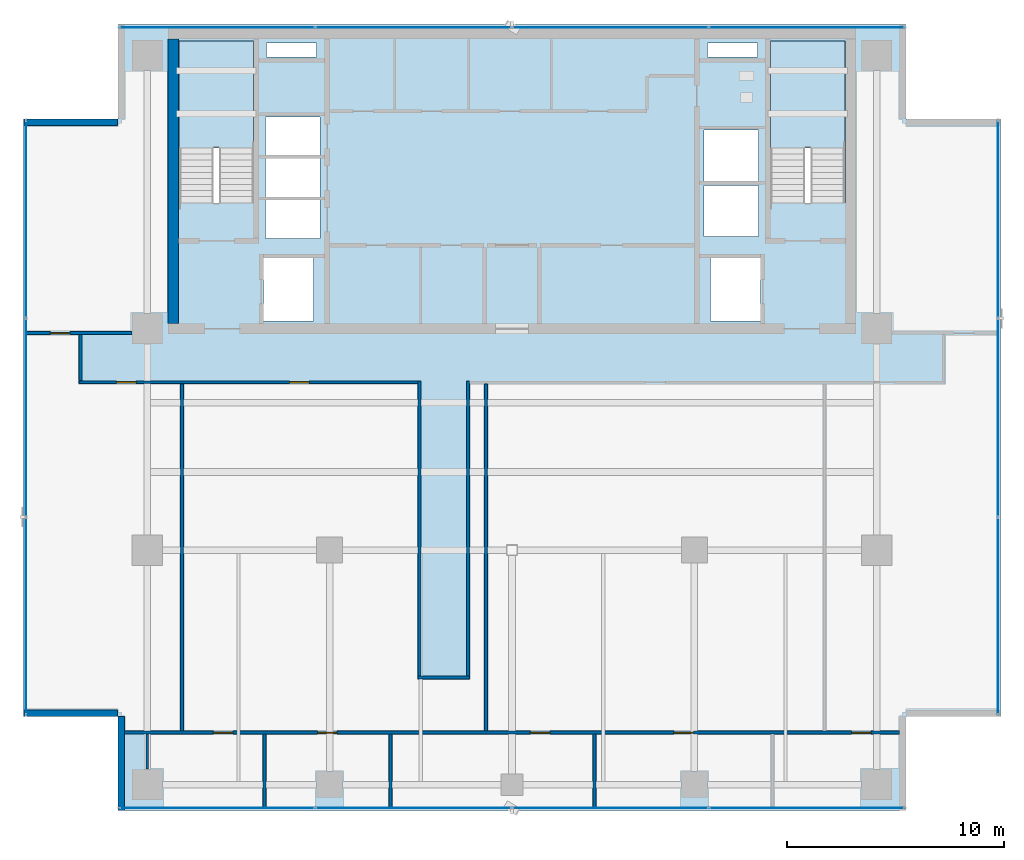
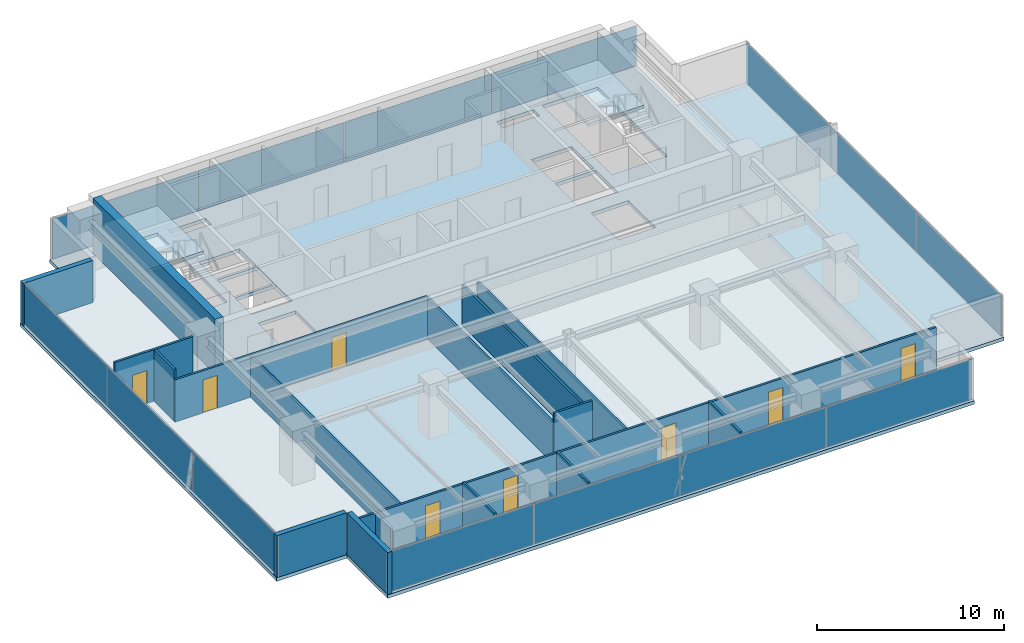
# One storey, part 19 of 25: 17 walls, 14 plates, 8 doors, 3 slabs, 8 openings, 6 elements without a shape of their own.
"""IFC4 building model written with IfcOpenShell, lengths in metres."""

from ifc_helpers import new_model, si_unit, direction, frame, frame_2d, origin, origin_2d, place, context, subcontext, project, spatial, polyline, rectangle, outline, extrude, source, transform, mapped, material, layer, layer_set, type_object, element, fill, aggregate, save


model = new_model("IFC4")

# Units and contexts
model_context = context("Model", 3, precision=1e-05, world=origin(), true_north=direction((0.0, 1.0)))
body_context = subcontext(model_context, "Body", "Model", "MODEL_VIEW")
ifc_project = project(units=[si_unit("LENGTHUNIT", "METRE"), si_unit("AREAUNIT", "SQUARE_METRE"), si_unit("VOLUMEUNIT", "CUBIC_METRE"), si_unit("PLANEANGLEUNIT", "RADIAN"), si_unit("MASSUNIT", "GRAM", prefix="KILO")], contexts=[model_context])

# Site, building, storey
site_placement = place(None, origin())
site = spatial("IfcSite", under=ifc_project, at=site_placement, CompositionType="ELEMENT")
building_placement = place(site_placement, origin())
building = spatial("IfcBuilding", under=site, at=building_placement, Name="Sumidabori Civic Tower", CompositionType="ELEMENT")
storey_placement = place(building_placement, frame((0.0, 0.0, 239.60009765625)))
storey = spatial("IfcBuildingStorey", under=building, at=storey_placement, Name="L62", CompositionType="ELEMENT", Elevation=239.60009765625)

# Stair, slab
ifc_material_1 = material(Name="Concrete C40/50", Category="concrete")
stair_type = type_object("IfcStairType", Name="ST-CORE-1600", PredefinedType="HALF_TURN_STAIR", material=ifc_material_1)
stair_1_placement = place(storey_placement, origin())
stair_1 = element("IfcStair", 1, at=stair_1_placement, inside=storey, type_object=stair_type, Name="L62 ST-1", PredefinedType="HALF_TURN_STAIR")
ifc_layer_1 = layer(ifc_material_1, 0.199951171875, Name="Concrete C40/50")
ifc_layer_set_1 = layer_set([ifc_layer_1], Name="Concrete C40/50")
slab_type_1 = type_object("IfcSlabType", Name="SL-LAND-200", PredefinedType="LANDING", material=ifc_layer_set_1)
slab_1_placement = place(storey_placement, frame((0.0, 0.0, 1.599853515625)))
slab_1 = element("IfcSlab", 2, at=slab_1_placement, type_object=slab_type_1, Name="ST-1 landing 1", PredefinedType="LANDING", context=body_context, shape_type="SweptSolid", body=[
    extrude(outline(polyline([(-11.89990234375, 18.52001953125), (-11.89990234375, 23.449951171875), (-15.340087890625, 23.449951171875), (-15.340087890625, 18.52001953125), (-11.89990234375, 18.52001953125)])), origin(), (0.0, 0.0, 1.0), 0.199951171875),
])
aggregate(stair_1, [slab_1])

stair_2_placement = place(storey_placement, origin())
stair_2 = element("IfcStair", 3, at=stair_2_placement, inside=storey, type_object=stair_type, Name="L62 ST-2", PredefinedType="HALF_TURN_STAIR")
slab_2_placement = place(storey_placement, frame((0.0, 0.0, 1.599853515625)))
slab_2 = element("IfcSlab", 4, at=slab_2_placement, type_object=slab_type_1, Name="ST-2 landing 1", PredefinedType="LANDING", context=body_context, shape_type="SweptSolid", body=[
    extrude(outline(polyline([(15.340087890625, 18.52001953125), (15.340087890625, 23.449951171875), (11.89990234375, 23.449951171875), (11.89990234375, 18.52001953125), (15.340087890625, 18.52001953125)])), origin(), (0.0, 0.0, 1.0), 0.199951171875),
])
aggregate(stair_2, [slab_2])

# Slab
ifc_layer_2 = layer(ifc_material_1, 0.22998046875, Name="Concrete C40/50")
ifc_layer_set_2 = layer_set([ifc_layer_2], Name="Concrete C40/50")
slab_type_2 = type_object("IfcSlabType", Name="SL-Z4-230", PredefinedType="FLOOR", material=ifc_layer_set_2)
slab_3_placement = place(storey_placement, frame((0.0, 0.0, -0.22998046875)))
element("IfcSlab", 5, at=slab_3_placement, inside=storey, type_object=slab_type_2, Name="Structural Slab L62", PredefinedType="FLOOR", context=body_context, shape_type="SweptSolid", body=[
    extrude(outline(polyline([(-18.14990234375, -12.0), (18.14990234375, -12.0), (18.14990234375, -7.64990234375), (22.5, -7.64990234375), (22.5, 19.85009765625), (18.14990234375, 19.85009765625), (18.14990234375, 24.199951171875), (-18.14990234375, 24.199951171875), (-18.14990234375, 19.85009765625), (-22.5, 19.85009765625), (-22.5, -7.64990234375), (-18.14990234375, -7.64990234375), (-18.14990234375, -12.0)]), holes=[polyline([(-11.89990234375, 16.0), (-11.89990234375, 23.449951171875), (-15.340087890625, 23.449951171875), (-15.340087890625, 16.0), (-11.89990234375, 16.0)]), polyline([(15.340087890625, 16.0), (15.340087890625, 23.449951171875), (11.89990234375, 23.449951171875), (11.89990234375, 16.0), (15.340087890625, 16.0)]), polyline([(-11.449951171875, 10.550048828125), (-9.14990234375, 10.550048828125), (-9.14990234375, 13.449951171875), (-11.449951171875, 13.449951171875), (-11.449951171875, 10.550048828125)]), polyline([(9.14990234375, 10.550048828125), (11.449951171875, 10.550048828125), (11.449951171875, 13.449951171875), (9.14990234375, 13.449951171875), (9.14990234375, 10.550048828125)]), polyline([(-11.35009765625, 14.35009765625), (-8.85009765625, 14.35009765625), (-8.85009765625, 16.1201171875), (-11.35009765625, 16.1201171875), (-11.35009765625, 14.35009765625)]), polyline([(-11.35009765625, 16.27001953125), (-8.85009765625, 16.27001953125), (-8.85009765625, 18.0400390625), (-11.35009765625, 18.0400390625), (-11.35009765625, 16.27001953125)]), polyline([(-11.35009765625, 18.18994140625), (-8.85009765625, 18.18994140625), (-8.85009765625, 19.9599609375), (-11.35009765625, 19.9599609375), (-11.35009765625, 18.18994140625)]), polyline([(8.85009765625, 14.449951171875), (11.35009765625, 14.449951171875), (11.35009765625, 16.800048828125), (8.85009765625, 16.800048828125), (8.85009765625, 14.449951171875)]), polyline([(8.85009765625, 17.0), (11.35009765625, 17.0), (11.35009765625, 19.35009765625), (8.85009765625, 19.35009765625), (8.85009765625, 17.0)]), polyline([(-11.300048828125, 22.719970703125), (-9.0, 22.719970703125), (-9.0, 23.35009765625), (-11.300048828125, 23.35009765625), (-11.300048828125, 22.719970703125)]), polyline([(9.0, 22.719970703125), (11.300048828125, 22.719970703125), (11.300048828125, 23.35009765625), (9.0, 23.35009765625), (9.0, 22.719970703125)])]), origin(), (0.0, 0.0, 1.0), 0.22998046875),
])

# Curtain wall, plates
ifc_material_2 = material(Name="Anodised Bronze Aluminium AW-6063-T6", Category="aluminium")
ifc_layer_3 = layer(ifc_material_2, 0.179931640625, Name="Anodised Bronze Aluminium AW-6063-T6")
ifc_layer_set_3 = layer_set([ifc_layer_3], Name="Anodised Bronze Aluminium AW-6063-T6")
curtain_wall_type = type_object("IfcCurtainWallType", Name="CW-SYS-5", PredefinedType="NOTDEFINED", material=ifc_layer_set_3)
curtain_wall_1_placement = place(storey_placement, origin())
curtain_wall_1 = element("IfcCurtainWall", 6, at=curtain_wall_1_placement, inside=storey, type_object=curtain_wall_type, Name="Curtain Wall CW:L62:R01", PredefinedType="NOTDEFINED")
ifc_material_3 = material(Name="Low-E Solar-Control Vision Glazing", Category="glass")
ifc_layer_4 = layer(ifc_material_3, 0.028076171875, Name="Low-E Solar-Control Vision Glazing")
ifc_layer_set_4 = layer_set([ifc_layer_4], Name="Low-E Solar-Control Vision Glazing")
plate_type = type_object("IfcPlateType", Name="CW-PNL-28", PredefinedType="CURTAIN_PANEL", material=ifc_layer_set_4)
shared_shape_1 = source(origin(), body_context, "Body", "SweptSolid", [
    extrude(rectangle(XDim=8.969970703125, YDim=0.028076171875, at=origin_2d()), origin(), (0.0, 0.0, 1.0), 2.6298828125),
])
plate_1_placement = place(storey_placement, frame((-13.574951171875, -11.8798828125, 0.06005859375), z_axis=(0.0, 0.0, 1.0), x_axis=(1.0, 0.0, 0.0)))
plate_1 = element("IfcPlate", 7, at=plate_1_placement, type_object=plate_type, Name="CW-5 panel 1.1", PredefinedType="CURTAIN_PANEL", context=body_context, shape_type="MappedRepresentation", body=[
    mapped(shared_shape_1, transform((0.0, 0.0, 0.0), x_axis=(1.0, 0.0, 0.0), y_axis=(0.0, 1.0, 0.0), z_axis=(0.0, 0.0, 1.0), scale=1.0)),
])
plate_2_placement = place(storey_placement, frame((13.574951171875, -11.8798828125, 0.06005859375), z_axis=(0.0, 0.0, 1.0), x_axis=(1.0, 0.0, 0.0)))
plate_2 = element("IfcPlate", 8, at=plate_2_placement, type_object=plate_type, Name="CW-5 panel 4.1", PredefinedType="CURTAIN_PANEL", context=body_context, shape_type="MappedRepresentation", body=[
    mapped(shared_shape_1, transform((0.0, 0.0, 0.0), x_axis=(1.0, 0.0, 0.0), y_axis=(0.0, 1.0, 0.0), z_axis=(0.0, 0.0, 1.0), scale=1.0)),
])

curtain_wall_2_placement = place(storey_placement, origin())
curtain_wall_2 = element("IfcCurtainWall", 9, at=curtain_wall_2_placement, inside=storey, type_object=curtain_wall_type, Name="Curtain Wall CW:L62:R07", PredefinedType="NOTDEFINED")
plate_3_placement = place(storey_placement, frame((13.574951171875, 24.080078125, 0.06005859375), z_axis=(0.0, 0.0, 1.0), x_axis=(-1.0, 0.0, 0.0)))
plate_3 = element("IfcPlate", 10, at=plate_3_placement, type_object=plate_type, Name="CW-5 panel 1.1", PredefinedType="CURTAIN_PANEL", context=body_context, shape_type="MappedRepresentation", body=[
    mapped(shared_shape_1, transform((0.0, 0.0, 0.0), x_axis=(1.0, 0.0, 0.0), y_axis=(0.0, 1.0, 0.0), z_axis=(0.0, 0.0, 1.0), scale=1.0)),
])
plate_4_placement = place(storey_placement, frame((-13.574951171875, 24.080078125, 0.06005859375), z_axis=(0.0, 0.0, 1.0), x_axis=(-1.0, 0.0, 0.0)))
plate_4 = element("IfcPlate", 11, at=plate_4_placement, type_object=plate_type, Name="CW-5 panel 4.1", PredefinedType="CURTAIN_PANEL", context=body_context, shape_type="MappedRepresentation", body=[
    mapped(shared_shape_1, transform((0.0, 0.0, 0.0), x_axis=(1.0, 0.0, 0.0), y_axis=(0.0, 1.0, 0.0), z_axis=(0.0, 0.0, 1.0), scale=1.0)),
])

# Plate
shared_shape_2 = source(origin(), body_context, "Body", "SweptSolid", [
    extrude(rectangle(XDim=9.0, YDim=0.028076171875, at=origin_2d()), origin(), (0.0, 0.0, 1.0), 2.6298828125),
])
plate_5_placement = place(storey_placement, frame((-4.530029296875, -11.8798828125, 0.06005859375), z_axis=(0.0, 0.0, 1.0), x_axis=(1.0, 0.0, 0.0)))
plate_5 = element("IfcPlate", 12, at=plate_5_placement, type_object=plate_type, Name="CW-5 panel 2.1", PredefinedType="CURTAIN_PANEL", context=body_context, shape_type="MappedRepresentation", body=[
    mapped(shared_shape_2, transform((0.0, 0.0, 0.0), x_axis=(1.0, 0.0, 0.0), y_axis=(0.0, 1.0, 0.0), z_axis=(0.0, 0.0, 1.0), scale=1.0)),
])

plate_6_placement = place(storey_placement, frame((4.530029296875, -11.8798828125, 0.06005859375), z_axis=(0.0, 0.0, 1.0), x_axis=(1.0, 0.0, 0.0)))
plate_6 = element("IfcPlate", 13, at=plate_6_placement, type_object=plate_type, Name="CW-5 panel 3.1", PredefinedType="CURTAIN_PANEL", context=body_context, shape_type="MappedRepresentation", body=[
    mapped(shared_shape_2, transform((0.0, 0.0, 0.0), x_axis=(1.0, 0.0, 0.0), y_axis=(0.0, 1.0, 0.0), z_axis=(0.0, 0.0, 1.0), scale=1.0)),
])

aggregate(curtain_wall_1, [plate_1, plate_5, plate_6, plate_2])

plate_7_placement = place(storey_placement, frame((4.530029296875, 24.080078125, 0.06005859375), z_axis=(0.0, 0.0, 1.0), x_axis=(-1.0, 0.0, 0.0)))
plate_7 = element("IfcPlate", 14, at=plate_7_placement, type_object=plate_type, Name="CW-5 panel 2.1", PredefinedType="CURTAIN_PANEL", context=body_context, shape_type="MappedRepresentation", body=[
    mapped(shared_shape_2, transform((0.0, 0.0, 0.0), x_axis=(1.0, 0.0, 0.0), y_axis=(0.0, 1.0, 0.0), z_axis=(0.0, 0.0, 1.0), scale=1.0)),
])

plate_8_placement = place(storey_placement, frame((-4.530029296875, 24.080078125, 0.06005859375), z_axis=(0.0, 0.0, 1.0), x_axis=(-1.0, 0.0, 0.0)))
plate_8 = element("IfcPlate", 15, at=plate_8_placement, type_object=plate_type, Name="CW-5 panel 3.1", PredefinedType="CURTAIN_PANEL", context=body_context, shape_type="MappedRepresentation", body=[
    mapped(shared_shape_2, transform((0.0, 0.0, 0.0), x_axis=(1.0, 0.0, 0.0), y_axis=(0.0, 1.0, 0.0), z_axis=(0.0, 0.0, 1.0), scale=1.0)),
])

aggregate(curtain_wall_2, [plate_3, plate_7, plate_8, plate_4])

# Curtain wall, plates
curtain_wall_3_placement = place(storey_placement, origin())
curtain_wall_3 = element("IfcCurtainWall", 16, at=curtain_wall_3_placement, inside=storey, type_object=curtain_wall_type, Name="Curtain Wall CW:L62:R04", PredefinedType="NOTDEFINED")
shared_shape_3 = source(origin(), body_context, "Body", "SweptSolid", [
    extrude(rectangle(XDim=9.056640625, YDim=0.028076171875, at=origin_2d()), origin(), (0.0, 0.0, 1.0), 2.6298828125),
])
plate_9_placement = place(storey_placement, frame((22.3798828125, -3.03173828125, 0.06005859375), z_axis=(0.0, 0.0, 1.0), x_axis=(0.0, 1.0, 0.0)))
plate_9 = element("IfcPlate", 17, at=plate_9_placement, type_object=plate_type, Name="CW-5 panel 1.1", PredefinedType="CURTAIN_PANEL", context=body_context, shape_type="MappedRepresentation", body=[
    mapped(shared_shape_3, transform((0.0, 0.0, 0.0), x_axis=(1.0, 0.0, 0.0), y_axis=(0.0, 1.0, 0.0), z_axis=(0.0, 0.0, 1.0), scale=1.0)),
])
plate_10_placement = place(storey_placement, frame((22.3798828125, 15.231689453125, 0.06005859375), z_axis=(0.0, 0.0, 1.0), x_axis=(0.0, 1.0, 0.0)))
plate_10 = element("IfcPlate", 18, at=plate_10_placement, type_object=plate_type, Name="CW-5 panel 3.1", PredefinedType="CURTAIN_PANEL", context=body_context, shape_type="MappedRepresentation", body=[
    mapped(shared_shape_3, transform((0.0, 0.0, 0.0), x_axis=(1.0, 0.0, 0.0), y_axis=(0.0, 1.0, 0.0), z_axis=(0.0, 0.0, 1.0), scale=1.0)),
])

curtain_wall_4_placement = place(storey_placement, origin())
curtain_wall_4 = element("IfcCurtainWall", 19, at=curtain_wall_4_placement, inside=storey, type_object=curtain_wall_type, Name="Curtain Wall CW:L62:R10", PredefinedType="NOTDEFINED")
plate_11_placement = place(storey_placement, frame((-22.3798828125, 15.231689453125, 0.06005859375), z_axis=(0.0, 0.0, 1.0), x_axis=(0.0, -1.0, 0.0)))
plate_11 = element("IfcPlate", 20, at=plate_11_placement, type_object=plate_type, Name="CW-5 panel 1.1", PredefinedType="CURTAIN_PANEL", context=body_context, shape_type="MappedRepresentation", body=[
    mapped(shared_shape_3, transform((0.0, 0.0, 0.0), x_axis=(1.0, 0.0, 0.0), y_axis=(0.0, 1.0, 0.0), z_axis=(0.0, 0.0, 1.0), scale=1.0)),
])
plate_12_placement = place(storey_placement, frame((-22.3798828125, -3.03173828125, 0.06005859375), z_axis=(0.0, 0.0, 1.0), x_axis=(0.0, -1.0, 0.0)))
plate_12 = element("IfcPlate", 21, at=plate_12_placement, type_object=plate_type, Name="CW-5 panel 3.1", PredefinedType="CURTAIN_PANEL", context=body_context, shape_type="MappedRepresentation", body=[
    mapped(shared_shape_3, transform((0.0, 0.0, 0.0), x_axis=(1.0, 0.0, 0.0), y_axis=(0.0, 1.0, 0.0), z_axis=(0.0, 0.0, 1.0), scale=1.0)),
])

# Plate
shared_shape_4 = source(origin(), body_context, "Body", "SweptSolid", [
    extrude(rectangle(XDim=9.086669921875, YDim=0.028076171875, at=origin_2d()), origin(), (0.0, 0.0, 1.0), 2.6298828125),
])
plate_13_placement = place(storey_placement, frame((22.3798828125, 6.10009765625, 0.06005859375), z_axis=(0.0, 0.0, 1.0), x_axis=(0.0, 1.0, 0.0)))
plate_13 = element("IfcPlate", 22, at=plate_13_placement, type_object=plate_type, Name="CW-5 panel 2.1", PredefinedType="CURTAIN_PANEL", context=body_context, shape_type="MappedRepresentation", body=[
    mapped(shared_shape_4, transform((0.0, 0.0, 0.0), x_axis=(1.0, 0.0, 0.0), y_axis=(0.0, 1.0, 0.0), z_axis=(0.0, 0.0, 1.0), scale=1.0)),
])

aggregate(curtain_wall_3, [plate_9, plate_13, plate_10])

plate_14_placement = place(storey_placement, frame((-22.3798828125, 6.10009765625, 0.06005859375), z_axis=(0.0, 0.0, 1.0), x_axis=(0.0, -1.0, 0.0)))
plate_14 = element("IfcPlate", 23, at=plate_14_placement, type_object=plate_type, Name="CW-5 panel 2.1", PredefinedType="CURTAIN_PANEL", context=body_context, shape_type="MappedRepresentation", body=[
    mapped(shared_shape_4, transform((0.0, 0.0, 0.0), x_axis=(1.0, 0.0, 0.0), y_axis=(0.0, 1.0, 0.0), z_axis=(0.0, 0.0, 1.0), scale=1.0)),
])

aggregate(curtain_wall_4, [plate_11, plate_14, plate_12])

# Walls
ifc_material_4 = material(Name="Concrete C50/60", Category="concrete")
ifc_layer_5 = layer(ifc_material_4, 0.5, Name="Concrete C50/60")
ifc_layer_set_5 = layer_set([ifc_layer_5], Name="Concrete C50/60")
wall_type_1 = type_object("IfcWallType", Name="WL-CORE-500", PredefinedType="SHEAR", material=ifc_layer_set_5)
shared_shape_5 = source(origin(), body_context, "Body", "SweptSolid", [
    extrude(rectangle(XDim=13.10009765625, YDim=0.5, at=frame_2d((6.550048828125, 0.0))), origin(), (0.0, 0.0, 1.0), 3.599853515625),
])
wall_1_placement = place(storey_placement, frame((-15.60009765625, 10.449951171875, 0.0), z_axis=(0.0, 0.0, 1.0), x_axis=(0.0, 1.0, 0.0)))
element("IfcWall", 24, at=wall_1_placement, inside=storey, type_object=wall_type_1, Name="Core Shear Wall L62 W", PredefinedType="SHEAR", context=body_context, shape_type="MappedRepresentation", body=[
    mapped(shared_shape_5, transform((0.0, 0.0, 0.0), x_axis=(1.0, 0.0, 0.0), y_axis=(0.0, 1.0, 0.0), z_axis=(0.0, 0.0, 1.0), scale=1.0)),
])
ifc_material_5 = material(Name="Precast concrete C40/50", Category="concrete")
ifc_layer_6 = layer(ifc_material_5, 0.300048828125, Name="Precast concrete C40/50")
ifc_layer_set_6 = layer_set([ifc_layer_6], Name="Precast concrete C40/50")
wall_type_2 = type_object("IfcWallType", Name="WL-EXT-POD300", PredefinedType="STANDARD", material=ifc_layer_set_6)
shared_shape_6 = source(origin(), body_context, "Body", "SweptSolid", [
    extrude(rectangle(XDim=4.31005859375, YDim=0.300048828125, at=frame_2d((2.155029296875, 0.0))), origin(), (0.0, 0.0, 1.0), 2.75),
])
for number, where, z_axis, x_axis, name in (
    (25, (-18.169921875, 19.699951171875, 0.0), (0.0, 0.0, 1.0), (-1.0, 0.0, 0.0), "Notched Corner Spandrel Band L62-09"),
    (26, (-22.47998046875, -7.5, 0.0), (0.0, 0.0, 1.0), (1.0, 0.0, 0.0), "Notched Corner Spandrel Band L62-11"),
    (27, (-18.0, -7.669921875, 0.0), (0.0, 0.0, 1.0), (0.0, -1.0, 0.0), "Notched Corner Spandrel Band L62-12"),
):
    element("IfcWall", number, at=place(storey_placement, frame(where, z_axis=z_axis, x_axis=x_axis)), inside=storey, type_object=wall_type_2, Name=name, PredefinedType="STANDARD", context=body_context, shape_type="MappedRepresentation", body=[
        mapped(shared_shape_6, transform((0.0, 0.0, 0.0), x_axis=(1.0, 0.0, 0.0), y_axis=(0.0, 1.0, 0.0), z_axis=(0.0, 0.0, 1.0), scale=1.0)),
    ])

# Wall, openings, doors
ifc_material_6 = material(Name="Gypsum Plasterboard Acoustic Partition")
ifc_layer_7 = layer(ifc_material_6, 0.135009765625, Name="Gypsum Plasterboard Acoustic Partition")
ifc_layer_set_7 = layer_set([ifc_layer_7], Name="Gypsum Plasterboard Acoustic Partition")
wall_type_3 = type_object("IfcWallType", Name="WL-PART-135", PredefinedType="PARTITIONING", material=ifc_layer_set_7)
shared_shape_7 = source(origin(), body_context, "Body", "SweptSolid", [
    extrude(rectangle(XDim=15.60009765625, YDim=0.135009765625, at=frame_2d((7.800048828125, 0.0))), origin(), (0.0, 0.0, 1.0), 2.7548828125),
])
wall_2_placement = place(storey_placement, frame((-19.93505859375, 7.732421875, 0.0), z_axis=(0.0, 0.0, 1.0), x_axis=(1.0, 0.0, 0.0)))
wall_2 = element("IfcWall", 28, at=wall_2_placement, inside=storey, type_object=wall_type_3, Name="Interior Partition WL:L62:CORR-SW", PredefinedType="PARTITIONING", context=body_context, shape_type="MappedRepresentation", body=[
    mapped(shared_shape_7, transform((0.0, 0.0, 0.0), x_axis=(1.0, 0.0, 0.0), y_axis=(0.0, 1.0, 0.0), z_axis=(0.0, 0.0, 1.0), scale=1.0)),
])
opening_1_placement = place(wall_2_placement, frame((1.7236328125, 0.0, 0.0)))
opening_1 = element("IfcOpeningElement", 29, at=opening_1_placement, cuts=wall_2, Name="Opening DR-1", PredefinedType="OPENING", context=body_context, shape_type="SweptSolid", body=[
    extrude(rectangle(XDim=0.89990234375, YDim=2.14990234375, at=frame_2d((0.449951171875, 1.074951171875))), frame((0.0, 0.07958984375, 0.0), z_axis=(0.0, -1.0, 0.0), x_axis=(1.0, 0.0, 0.0)), (0.0, 0.0, 1.0), 0.158935546875),
])
opening_2_placement = place(wall_2_placement, frame((9.69140625, 0.0, 0.0)))
opening_2 = element("IfcOpeningElement", 30, at=opening_2_placement, cuts=wall_2, Name="Opening DR-1", PredefinedType="OPENING", context=body_context, shape_type="SweptSolid", body=[
    extrude(rectangle(XDim=0.89990234375, YDim=2.14990234375, at=frame_2d((0.449951171875, 1.074951171875))), frame((0.0, 0.07958984375, 0.0), z_axis=(0.0, -1.0, 0.0), x_axis=(1.0, 0.0, 0.0)), (0.0, 0.0, 1.0), 0.158935546875),
])
ifc_material_7 = material(Name="Japanese Hinoki Timber", Category="wood")
door_type = type_object("IfcDoorType", Name="DR-INT-900", OperationType="NOTDEFINED", PredefinedType="DOOR", material=ifc_material_7)
shared_shape_8 = source(origin(), body_context, "Body", "SweptSolid", [
    extrude(rectangle(XDim=0.89990234375, YDim=2.14990234375, at=frame_2d((0.449951171875, 1.074951171875))), frame((0.0, 0.02490234375, 0.0), z_axis=(0.0, -1.0, 0.0), x_axis=(1.0, 0.0, 0.0)), (0.0, 0.0, 1.0), 0.050048828125),
])
door_1_placement = place(opening_1_placement, origin())
door_1 = element("IfcDoor", 31, at=door_1_placement, inside=storey, type_object=door_type, Name="Door DR:L62:D01", OperationType="SINGLE_SWING_LEFT", OverallHeight=2.14990234375, OverallWidth=0.89990234375, PredefinedType="DOOR", context=body_context, shape_type="MappedRepresentation", body=[
    mapped(shared_shape_8, transform((0.0, 0.0, 0.0), x_axis=(1.0, 0.0, 0.0), y_axis=(0.0, 1.0, 0.0), z_axis=(0.0, 0.0, 1.0), scale=1.0)),
])
fill(opening_1, door_1)
door_2_placement = place(opening_2_placement, origin())
door_2 = element("IfcDoor", 32, at=door_2_placement, inside=storey, type_object=door_type, Name="Door DR:L62:D04", OperationType="SINGLE_SWING_RIGHT", OverallHeight=2.14990234375, OverallWidth=0.89990234375, PredefinedType="DOOR", context=body_context, shape_type="MappedRepresentation", body=[
    mapped(shared_shape_8, transform((0.0, 0.0, 0.0), x_axis=(1.0, 0.0, 0.0), y_axis=(0.0, 1.0, 0.0), z_axis=(0.0, 0.0, 1.0), scale=1.0)),
])
fill(opening_2, door_2)

# Wall, opening, door
shared_shape_9 = source(origin(), body_context, "Body", "SweptSolid", [
    extrude(rectangle(XDim=4.840087890625, YDim=0.135009765625, at=frame_2d((2.419921875, 0.0))), origin(), (0.0, 0.0, 1.0), 3.369873046875),
])
wall_3_placement = place(storey_placement, frame((-22.35009765625, 10.0, 0.0), z_axis=(0.0, 0.0, 1.0), x_axis=(1.0, 0.0, 0.0)))
wall_3 = element("IfcWall", 33, at=wall_3_placement, inside=storey, type_object=wall_type_3, Name="Interior Partition WL:L62:FLK-NW", PredefinedType="PARTITIONING", context=body_context, shape_type="MappedRepresentation", body=[
    mapped(shared_shape_9, transform((0.0, 0.0, 0.0), x_axis=(1.0, 0.0, 0.0), y_axis=(0.0, 1.0, 0.0), z_axis=(0.0, 0.0, 1.0), scale=1.0)),
])
opening_3_placement = place(wall_3_placement, frame((1.090087890625, 0.0, 0.0)))
opening_3 = element("IfcOpeningElement", 34, at=opening_3_placement, cuts=wall_3, Name="Opening DR-1", PredefinedType="OPENING", context=body_context, shape_type="SweptSolid", body=[
    extrude(rectangle(XDim=0.89990234375, YDim=2.14990234375, at=frame_2d((0.449951171875, 1.074951171875))), frame((0.0, 0.07958984375, 0.0), z_axis=(0.0, -1.0, 0.0), x_axis=(1.0, 0.0, 0.0)), (0.0, 0.0, 1.0), 0.158935546875),
])
door_3_placement = place(opening_3_placement, origin())
door_3 = element("IfcDoor", 35, at=door_3_placement, inside=storey, type_object=door_type, Name="Door DR:L62:D05", OperationType="SINGLE_SWING_LEFT", OverallHeight=2.14990234375, OverallWidth=0.89990234375, PredefinedType="DOOR", context=body_context, shape_type="MappedRepresentation", body=[
    mapped(shared_shape_8, transform((0.0, 0.0, 0.0), x_axis=(1.0, 0.0, 0.0), y_axis=(0.0, 1.0, 0.0), z_axis=(0.0, 0.0, 1.0), scale=1.0)),
])
fill(opening_3, door_3)

# Walls
shared_shape_10 = source(origin(), body_context, "Body", "SweptSolid", [
    extrude(rectangle(XDim=2.369873046875, YDim=0.135009765625, at=frame_2d((1.18505859375, 0.0))), origin(), (0.0, 0.0, 1.0), 3.369873046875),
])
wall_4_placement = place(storey_placement, frame((-4.3349609375, -5.867431640625, 0.0), z_axis=(0.0, 0.0, 1.0), x_axis=(1.0, 0.0, 0.0)))
element("IfcWall", 36, at=wall_4_placement, inside=storey, type_object=wall_type_3, Name="Interior Partition WL:L62:CORR-CAP-C", PredefinedType="PARTITIONING", context=body_context, shape_type="MappedRepresentation", body=[
    mapped(shared_shape_10, transform((0.0, 0.0, 0.0), x_axis=(1.0, 0.0, 0.0), y_axis=(0.0, 1.0, 0.0), z_axis=(0.0, 0.0, 1.0), scale=1.0)),
])
shared_shape_11 = source(origin(), body_context, "Body", "SweptSolid", [
    extrude(rectangle(XDim=2.12255859375, YDim=0.135009765625, at=frame_2d((1.061279296875, 0.0))), origin(), (0.0, 0.0, 1.0), 3.369873046875),
])
wall_5_placement = place(storey_placement, frame((-19.867431640625, 7.804931640625, 0.0), z_axis=(0.0, 0.0, 1.0), x_axis=(0.0, 1.0, 0.0)))
element("IfcWall", 37, at=wall_5_placement, inside=storey, type_object=wall_type_3, Name="Interior Partition WL:L62:CORR-VNW", PredefinedType="PARTITIONING", context=body_context, shape_type="MappedRepresentation", body=[
    mapped(shared_shape_11, transform((0.0, 0.0, 0.0), x_axis=(1.0, 0.0, 0.0), y_axis=(0.0, 1.0, 0.0), z_axis=(0.0, 0.0, 1.0), scale=1.0)),
])
shared_shape_12 = source(origin(), body_context, "Body", "SweptSolid", [
    extrude(rectangle(XDim=13.594970703125, YDim=0.135009765625, at=frame_2d((6.79736328125, 0.0))), origin(), (0.0, 0.0, 1.0), 2.65478515625),
])
for number, where, z_axis, x_axis, name in (
    (38, (-4.267578125, -5.794921875, 0.0), (0.0, 0.0, 1.0), (0.0, 1.0, 0.0), "Interior Partition WL:L62:CORR-VC-W"),
    (39, (-2.032470703125, -5.794921875, 0.0), (0.0, 0.0, 1.0), (0.0, 1.0, 0.0), "Interior Partition WL:L62:CORR-VC-E"),
):
    element("IfcWall", number, at=place(storey_placement, frame(where, z_axis=z_axis, x_axis=x_axis)), inside=storey, type_object=wall_type_3, Name=name, PredefinedType="PARTITIONING", context=body_context, shape_type="MappedRepresentation", body=[
        mapped(shared_shape_12, transform((0.0, 0.0, 0.0), x_axis=(1.0, 0.0, 0.0), y_axis=(0.0, 1.0, 0.0), z_axis=(0.0, 0.0, 1.0), scale=1.0)),
    ])

# Wall, openings, doors
shared_shape_13 = source(origin(), body_context, "Body", "SweptSolid", [
    extrude(rectangle(XDim=35.68408203125, YDim=0.135009765625, at=frame_2d((17.842041015625, 0.0))), origin(), (0.0, 0.0, 1.0), 2.7548828125),
])
wall_6_placement = place(storey_placement, frame((-17.842041015625, -8.39990234375, 0.0), z_axis=(0.0, 0.0, 1.0), x_axis=(1.0, 0.0, 0.0)))
wall_6 = element("IfcWall", 40, at=wall_6_placement, inside=storey, type_object=wall_type_3, Name="Interior Partition WL:L62:BAND-Y", PredefinedType="PARTITIONING", context=body_context, shape_type="MappedRepresentation", body=[
    mapped(shared_shape_13, transform((0.0, 0.0, 0.0), x_axis=(1.0, 0.0, 0.0), y_axis=(0.0, 1.0, 0.0), z_axis=(0.0, 0.0, 1.0), scale=1.0)),
])
opening_4_placement = place(wall_6_placement, frame((8.89208984375, 0.0, 0.0)))
opening_4 = element("IfcOpeningElement", 41, at=opening_4_placement, cuts=wall_6, Name="Opening DR-1", PredefinedType="OPENING", context=body_context, shape_type="SweptSolid", body=[
    extrude(rectangle(XDim=0.89990234375, YDim=2.14990234375, at=frame_2d((0.449951171875, 1.074951171875))), frame((0.0, 0.07958984375, 0.0), z_axis=(0.0, -1.0, 0.0), x_axis=(1.0, 0.0, 0.0)), (0.0, 0.0, 1.0), 0.158935546875),
])
opening_5_placement = place(wall_6_placement, frame((33.48681640625, 0.0, 0.0)))
opening_5 = element("IfcOpeningElement", 42, at=opening_5_placement, cuts=wall_6, Name="Opening DR-1", PredefinedType="OPENING", context=body_context, shape_type="SweptSolid", body=[
    extrude(rectangle(XDim=0.89990234375, YDim=2.14990234375, at=frame_2d((0.449951171875, 1.074951171875))), frame((0.0, 0.07958984375, 0.0), z_axis=(0.0, -1.0, 0.0), x_axis=(1.0, 0.0, 0.0)), (0.0, 0.0, 1.0), 0.158935546875),
])
opening_6_placement = place(wall_6_placement, frame((4.092041015625, 0.0, 0.0)))
opening_6 = element("IfcOpeningElement", 43, at=opening_6_placement, cuts=wall_6, Name="Opening DR-1", PredefinedType="OPENING", context=body_context, shape_type="SweptSolid", body=[
    extrude(rectangle(XDim=0.89990234375, YDim=2.14990234375, at=frame_2d((0.449951171875, 1.074951171875))), frame((0.0, 0.07958984375, 0.0), z_axis=(0.0, -1.0, 0.0), x_axis=(1.0, 0.0, 0.0)), (0.0, 0.0, 1.0), 0.158935546875),
])
opening_7_placement = place(wall_6_placement, frame((18.69189453125, 0.0, 0.0)))
opening_7 = element("IfcOpeningElement", 44, at=opening_7_placement, cuts=wall_6, Name="Opening DR-1", PredefinedType="OPENING", context=body_context, shape_type="SweptSolid", body=[
    extrude(rectangle(XDim=0.89990234375, YDim=2.14990234375, at=frame_2d((0.449951171875, 1.074951171875))), frame((0.0, 0.07958984375, 0.0), z_axis=(0.0, -1.0, 0.0), x_axis=(1.0, 0.0, 0.0)), (0.0, 0.0, 1.0), 0.158935546875),
])
opening_8_placement = place(wall_6_placement, frame((25.2919921875, 0.0, 0.0)))
opening_8 = element("IfcOpeningElement", 45, at=opening_8_placement, cuts=wall_6, Name="Opening DR-1", PredefinedType="OPENING", context=body_context, shape_type="SweptSolid", body=[
    extrude(rectangle(XDim=0.89990234375, YDim=2.14990234375, at=frame_2d((0.449951171875, 1.074951171875))), frame((0.0, 0.07958984375, 0.0), z_axis=(0.0, -1.0, 0.0), x_axis=(1.0, 0.0, 0.0)), (0.0, 0.0, 1.0), 0.158935546875),
])
door_4_placement = place(opening_4_placement, origin())
door_4 = element("IfcDoor", 46, at=door_4_placement, inside=storey, type_object=door_type, Name="Door DR:L62:D07", OperationType="SINGLE_SWING_LEFT", OverallHeight=2.14990234375, OverallWidth=0.89990234375, PredefinedType="DOOR", context=body_context, shape_type="MappedRepresentation", body=[
    mapped(shared_shape_8, transform((0.0, 0.0, 0.0), x_axis=(1.0, 0.0, 0.0), y_axis=(0.0, 1.0, 0.0), z_axis=(0.0, 0.0, 1.0), scale=1.0)),
])
fill(opening_4, door_4)
door_5_placement = place(opening_5_placement, origin())
door_5 = element("IfcDoor", 47, at=door_5_placement, inside=storey, type_object=door_type, Name="Door DR:L62:D08", OperationType="SINGLE_SWING_RIGHT", OverallHeight=2.14990234375, OverallWidth=0.89990234375, PredefinedType="DOOR", context=body_context, shape_type="MappedRepresentation", body=[
    mapped(shared_shape_8, transform((0.0, 0.0, 0.0), x_axis=(1.0, 0.0, 0.0), y_axis=(0.0, 1.0, 0.0), z_axis=(0.0, 0.0, 1.0), scale=1.0)),
])
fill(opening_5, door_5)
door_6_placement = place(opening_6_placement, origin())
door_6 = element("IfcDoor", 48, at=door_6_placement, inside=storey, type_object=door_type, Name="Door DR:L62:D09", OperationType="SINGLE_SWING_LEFT", OverallHeight=2.14990234375, OverallWidth=0.89990234375, PredefinedType="DOOR", context=body_context, shape_type="MappedRepresentation", body=[
    mapped(shared_shape_8, transform((0.0, 0.0, 0.0), x_axis=(1.0, 0.0, 0.0), y_axis=(0.0, 1.0, 0.0), z_axis=(0.0, 0.0, 1.0), scale=1.0)),
])
fill(opening_6, door_6)
door_7_placement = place(opening_7_placement, origin())
door_7 = element("IfcDoor", 49, at=door_7_placement, inside=storey, type_object=door_type, Name="Door DR:L62:D10", OperationType="SINGLE_SWING_RIGHT", OverallHeight=2.14990234375, OverallWidth=0.89990234375, PredefinedType="DOOR", context=body_context, shape_type="MappedRepresentation", body=[
    mapped(shared_shape_8, transform((0.0, 0.0, 0.0), x_axis=(1.0, 0.0, 0.0), y_axis=(0.0, 1.0, 0.0), z_axis=(0.0, 0.0, 1.0), scale=1.0)),
])
fill(opening_7, door_7)
door_8_placement = place(opening_8_placement, origin())
door_8 = element("IfcDoor", 50, at=door_8_placement, inside=storey, type_object=door_type, Name="Door DR:L62:D11", OperationType="SINGLE_SWING_LEFT", OverallHeight=2.14990234375, OverallWidth=0.89990234375, PredefinedType="DOOR", context=body_context, shape_type="MappedRepresentation", body=[
    mapped(shared_shape_8, transform((0.0, 0.0, 0.0), x_axis=(1.0, 0.0, 0.0), y_axis=(0.0, 1.0, 0.0), z_axis=(0.0, 0.0, 1.0), scale=1.0)),
])
fill(opening_8, door_8)

# Walls
shared_shape_14 = source(origin(), body_context, "Body", "SweptSolid", [
    extrude(rectangle(XDim=15.9873046875, YDim=0.135009765625, at=frame_2d((7.99365234375, 0.0))), origin(), (0.0, 0.0, 1.0), 2.65478515625),
])
for number, where, z_axis, x_axis, name in (
    (51, (-15.199951171875, -8.327392578125, 0.0), (0.0, 0.0, 1.0), (0.0, 1.0, 0.0), "Interior Partition WL:L62:VX-N1"),
    (52, (-1.199951171875, -8.327392578125, 0.0), (0.0, 0.0, 1.0), (0.0, 1.0, 0.0), "Interior Partition WL:L62:VX-N2"),
):
    element("IfcWall", number, at=place(storey_placement, frame(where, z_axis=z_axis, x_axis=x_axis)), inside=storey, type_object=wall_type_3, Name=name, PredefinedType="PARTITIONING", context=body_context, shape_type="MappedRepresentation", body=[
        mapped(shared_shape_14, transform((0.0, 0.0, 0.0), x_axis=(1.0, 0.0, 0.0), y_axis=(0.0, 1.0, 0.0), z_axis=(0.0, 0.0, 1.0), scale=1.0)),
    ])
shared_shape_15 = source(origin(), body_context, "Body", "SweptSolid", [
    extrude(rectangle(XDim=1.61767578125, YDim=0.135009765625, at=frame_2d((0.808837890625, 0.0))), origin(), (0.0, 0.0, 1.0), 2.7548828125),
])
wall_7_placement = place(storey_placement, frame((-16.800048828125, -10.090087890625, 0.0), z_axis=(0.0, 0.0, 1.0), x_axis=(0.0, 1.0, 0.0)))
element("IfcWall", 53, at=wall_7_placement, inside=storey, type_object=wall_type_3, Name="Interior Partition WL:L62:VX-S1", PredefinedType="PARTITIONING", context=body_context, shape_type="MappedRepresentation", body=[
    mapped(shared_shape_15, transform((0.0, 0.0, 0.0), x_axis=(1.0, 0.0, 0.0), y_axis=(0.0, 1.0, 0.0), z_axis=(0.0, 0.0, 1.0), scale=1.0)),
])
shared_shape_16 = source(origin(), body_context, "Body", "SweptSolid", [
    extrude(rectangle(XDim=3.377685546875, YDim=0.135009765625, at=frame_2d((1.68896484375, 0.0))), origin(), (0.0, 0.0, 1.0), 2.90478515625),
])
for number, where, z_axis, x_axis, name in (
    (54, (-11.39990234375, -11.85009765625, 0.0), (0.0, 0.0, 1.0), (0.0, 1.0, 0.0), "Interior Partition WL:L62:VX-S2"),
    (55, (-5.60009765625, -11.85009765625, 0.0), (0.0, 0.0, 1.0), (0.0, 1.0, 0.0), "Interior Partition WL:L62:VX-S3"),
    (56, (3.800048828125, -11.85009765625, 0.0), (0.0, 0.0, 1.0), (0.0, 1.0, 0.0), "Interior Partition WL:L62:VX-S4"),
):
    element("IfcWall", number, at=place(storey_placement, frame(where, z_axis=z_axis, x_axis=x_axis)), inside=storey, type_object=wall_type_3, Name=name, PredefinedType="PARTITIONING", context=body_context, shape_type="MappedRepresentation", body=[
        mapped(shared_shape_16, transform((0.0, 0.0, 0.0), x_axis=(1.0, 0.0, 0.0), y_axis=(0.0, 1.0, 0.0), z_axis=(0.0, 0.0, 1.0), scale=1.0)),
    ])

save(model, "model.ifc")
